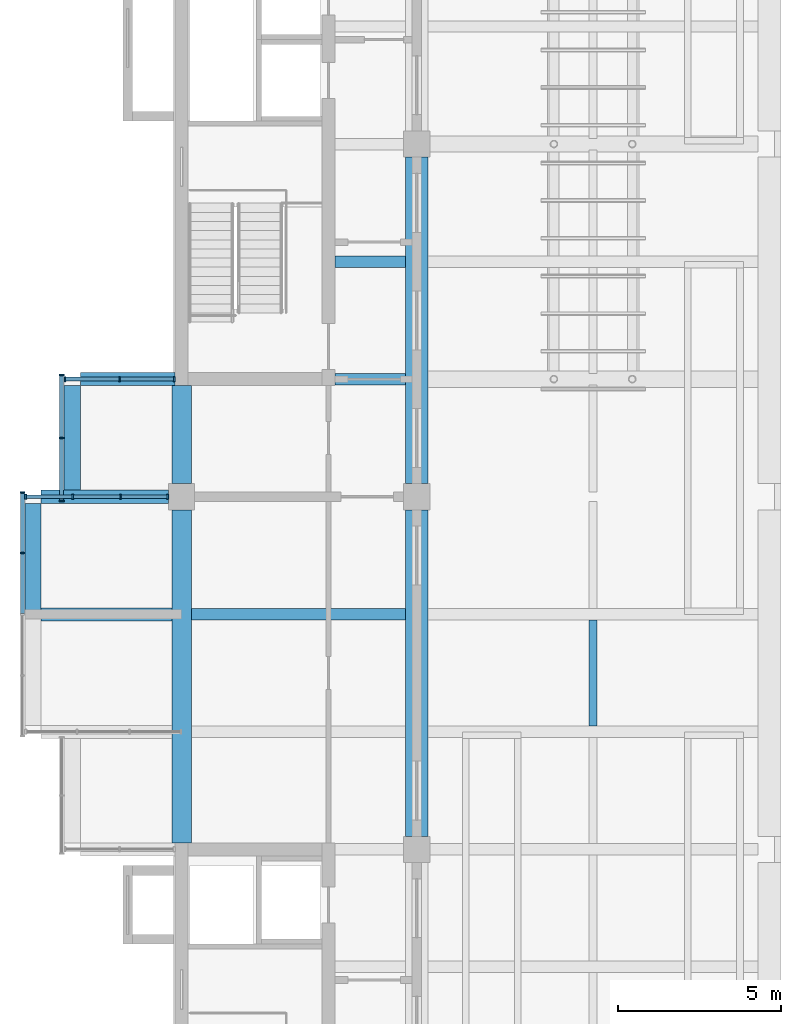
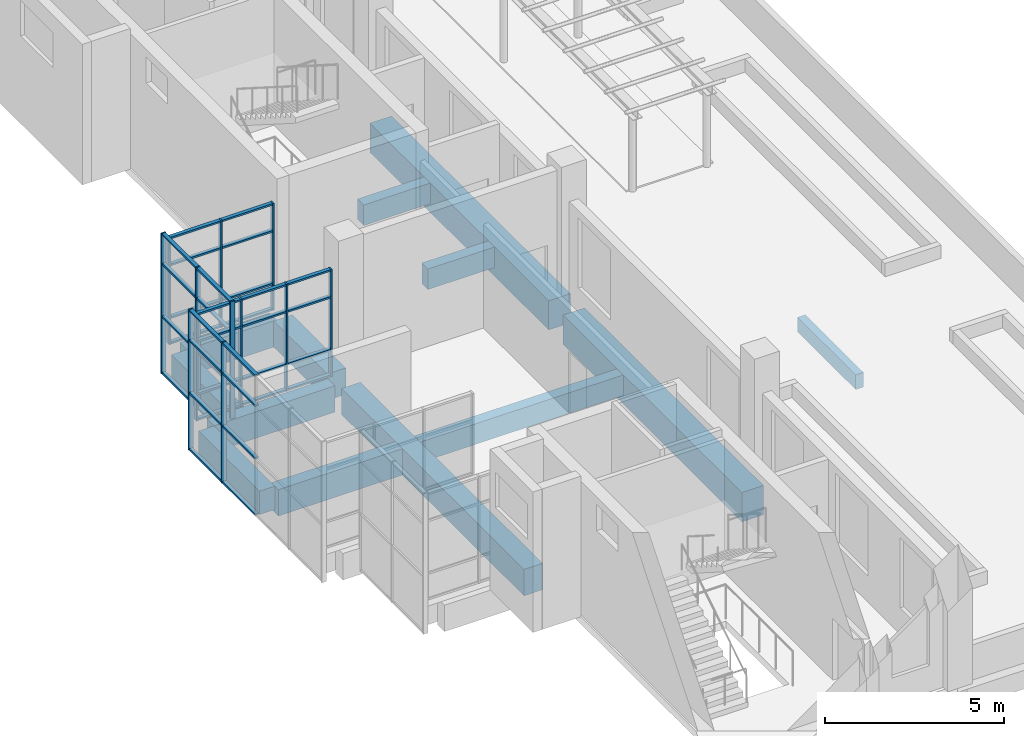
# One storey, part 5 of 16: 48 members, 13 beams, 4 elements without a shape of their own.
"""IFC4 building model written with IfcOpenShell, lengths in metres."""

from ifc_helpers import new_model, si_unit, direction, frame, origin, origin_2d, place, context, subcontext, project, spatial, rectangle, extrude, material, layer, layer_set, material_profile, profile_set, type_object, element, aggregate, save


model = new_model("IFC4")

# Units and contexts
model_context = context("Model", 3, precision=1e-05, world=origin(), true_north=direction((0.0, 1.0)))
body_context = subcontext(model_context, "Body", "Model", "MODEL_VIEW")
ifc_project = project(units=[si_unit("LENGTHUNIT", "METRE"), si_unit("AREAUNIT", "SQUARE_METRE"), si_unit("VOLUMEUNIT", "CUBIC_METRE"), si_unit("PLANEANGLEUNIT", "RADIAN"), si_unit("MASSUNIT", "GRAM", prefix="KILO")], contexts=[model_context])

# Site, building, storey
site_placement = place(None, origin())
site = spatial("IfcSite", under=ifc_project, at=site_placement, CompositionType="ELEMENT")
building_placement = place(site_placement, origin())
building = spatial("IfcBuilding", under=site, at=building_placement, Name="Basin Gate Institute", CompositionType="ELEMENT")
storey_placement = place(building_placement, frame((0.0, 0.0, 65.39990234375)))
storey = spatial("IfcBuildingStorey", under=building, at=storey_placement, Name="L13", CompositionType="ELEMENT", Elevation=65.39990234375)

# Beams
ifc_material_1 = material(Name="Concrete 40 MPa", Category="concrete")
ifc_material_profile_1 = material_profile(ifc_material_1, rectangle(XDim=0.35009765625, YDim=0.699951171875, at=origin_2d()), Name="Beam B1 350 x 700")
ifc_profile_set_1 = profile_set([ifc_material_profile_1], Name="Concrete 40 MPa")
beam_type_1 = type_object("IfcBeamType", Name="Beam B1 R120", PredefinedType="BEAM", material=ifc_profile_set_1)
beam_1_placement = place(storey_placement, frame((61.5, 53.10009765625, -0.599853515625), z_axis=(1.0, 0.0, 0.0), x_axis=(0.0, 1.0, 0.0)))
element("IfcBeam", 1, at=beam_1_placement, inside=storey, type_object=beam_type_1, material=ifc_profile_set_1, Name="BEAM/L13/W/OUT/06", PredefinedType="BEAM", context=body_context, shape_type="SweptSolid", body=[
    extrude(rectangle(XDim=0.35009765625, YDim=0.699951171875, at=origin_2d()), origin(), (0.0, 0.0, 1.0), 6.550048828125),
])
for number, where, z_axis, x_axis, name in (
    (2, (65.89990234375, 60.300048828125, -0.599853515625), (1.0, 0.0, 0.0), (0.0, 1.0, 0.0), "BEAM/L13/W/CORR/08"),
    (3, (65.89990234375, 63.89990234375, -0.599853515625), (1.0, 0.0, 0.0), (0.0, 1.0, 0.0), "BEAM/L13/W/CORR/09"),
):
    element("IfcBeam", number, at=place(storey_placement, frame(where, z_axis=z_axis, x_axis=x_axis)), inside=storey, type_object=beam_type_1, material=ifc_profile_set_1, Name=name, PredefinedType="BEAM", context=body_context, shape_type="SweptSolid", body=[
        extrude(rectangle(XDim=0.35009765625, YDim=0.699951171875, at=origin_2d()), origin(), (0.0, 0.0, 1.0), 2.150146484375),
    ])
ifc_material_2 = material(Name="Concrete 50 MPa", Category="concrete")
ifc_material_profile_2 = material_profile(ifc_material_2, rectangle(XDim=0.39990234375, YDim=0.89990234375, at=origin_2d()), Name="Cantilever beam B3 400 x 900")
ifc_profile_set_2 = profile_set([ifc_material_profile_2], Name="Concrete 50 MPa")
beam_type_2 = type_object("IfcBeamType", Name="Cantilever beam B3 R120", PredefinedType="BEAM", material=ifc_profile_set_2)
beam_2_placement = place(storey_placement, frame((56.89990234375, 53.10009765625, -0.699951171875), z_axis=(1.0, 0.0, 0.0), x_axis=(0.0, 1.0, 0.0)))
element("IfcBeam", 4, at=beam_2_placement, inside=storey, type_object=beam_type_2, material=ifc_profile_set_2, Name="BEAM/L13/W/CANT/06", PredefinedType="BEAM", context=body_context, shape_type="SweptSolid", body=[
    extrude(rectangle(XDim=0.39990234375, YDim=0.89990234375, at=origin_2d()), origin(), (0.0, 0.0, 1.0), 4.0),
])
beam_3_placement = place(storey_placement, frame((56.89990234375, 56.699951171875, -0.699951171875), z_axis=(1.0, 0.0, 0.0), x_axis=(0.0, 1.0, 0.0)))
element("IfcBeam", 5, at=beam_3_placement, inside=storey, type_object=beam_type_2, material=ifc_profile_set_2, Name="BEAM/L13/W/CANT/07", PredefinedType="BEAM", context=body_context, shape_type="SweptSolid", body=[
    extrude(rectangle(XDim=0.39990234375, YDim=0.89990234375, at=origin_2d()), origin(), (0.0, 0.0, 1.0), 3.900146484375),
])
beam_4_placement = place(storey_placement, frame((58.10009765625, 60.300048828125, -0.699951171875), z_axis=(1.0, 0.0, 0.0), x_axis=(0.0, 1.0, 0.0)))
element("IfcBeam", 6, at=beam_4_placement, inside=storey, type_object=beam_type_2, material=ifc_profile_set_2, Name="BEAM/L13/W/CANT/08", PredefinedType="BEAM", context=body_context, shape_type="SweptSolid", body=[
    extrude(rectangle(XDim=0.39990234375, YDim=0.89990234375, at=origin_2d()), origin(), (0.0, 0.0, 1.0), 2.89990234375),
])
ifc_material_3 = material(Name="Concrete 50 MPa", Category="concrete")
ifc_material_profile_3 = material_profile(ifc_material_3, rectangle(XDim=0.60009765625, YDim=0.89990234375, at=origin_2d()), Name="Edge beam EB1 600 x 900")
ifc_profile_set_3 = profile_set([ifc_material_profile_3], Name="Concrete 50 MPa")
beam_type_3 = type_object("IfcBeamType", Name="Edge beam EB1 R120", PredefinedType="SPANDREL", material=ifc_profile_set_3)
beam_5_placement = place(storey_placement, frame((61.199951171875, 46.10009765625, -0.699951171875), z_axis=(0.0, 1.0, 0.0), x_axis=(-1.0, 0.0, 0.0)))
element("IfcBeam", 7, at=beam_5_placement, inside=storey, type_object=beam_type_3, material=ifc_profile_set_3, Name="BEAM/L13/W/EDGE/1", PredefinedType="SPANDREL", context=body_context, shape_type="SweptSolid", body=[
    extrude(rectangle(XDim=0.60009765625, YDim=0.89990234375, at=origin_2d()), origin(), (0.0, 0.0, 1.0), 10.199951171875),
])
ifc_material_4 = material(Name="Concrete 50 MPa", Category="concrete")
ifc_material_profile_4 = material_profile(ifc_material_4, rectangle(XDim=0.60009765625, YDim=0.89990234375, at=origin_2d()), Name="Edge return beam EB3 600 x 900")
ifc_profile_set_4 = profile_set([ifc_material_profile_4], Name="Concrete 50 MPa")
beam_type_4 = type_object("IfcBeamType", Name="Edge return beam EB3 R120", PredefinedType="SPANDREL", material=ifc_profile_set_4)
beam_6_placement = place(storey_placement, frame((61.199951171875, 57.10009765625, -0.699951171875), z_axis=(0.0, 1.0, 0.0), x_axis=(-1.0, 0.0, 0.0)))
element("IfcBeam", 8, at=beam_6_placement, inside=storey, type_object=beam_type_4, material=ifc_profile_set_4, Name="BEAM/L13/W/EDGE/2", PredefinedType="SPANDREL", context=body_context, shape_type="SweptSolid", body=[
    extrude(rectangle(XDim=0.60009765625, YDim=0.89990234375, at=origin_2d()), origin(), (0.0, 0.0, 1.0), 3.0),
])
ifc_material_5 = material(Name="Concrete 50 MPa", Category="concrete")
ifc_material_profile_5 = material_profile(ifc_material_5, rectangle(XDim=0.699951171875, YDim=1.0, at=origin_2d()), Name="Girder G1 700 x 1000")
ifc_profile_set_5 = profile_set([ifc_material_profile_5], Name="Concrete 50 MPa")
beam_type_5 = type_object("IfcBeamType", Name="Girder G1 R120", PredefinedType="BEAM", material=ifc_profile_set_5)
for number, where, z_axis, x_axis, name in (
    (9, (68.39990234375, 46.300048828125, -0.75), (0.0, 1.0, 0.0), (-1.0, 0.0, 0.0), "GIR/L13/W5/2"),
    (10, (68.39990234375, 57.10009765625, -0.75), (0.0, 1.0, 0.0), (-1.0, 0.0, 0.0), "GIR/L13/W5/3"),
):
    element("IfcBeam", number, at=place(storey_placement, frame(where, z_axis=z_axis, x_axis=x_axis)), inside=storey, type_object=beam_type_5, material=ifc_profile_set_5, Name=name, PredefinedType="BEAM", context=body_context, shape_type="SweptSolid", body=[
        extrude(rectangle(XDim=0.699951171875, YDim=1.0, at=origin_2d()), origin(), (0.0, 0.0, 1.0), 10.0),
    ])

# Curtain wall, members
ifc_material_6 = material(Name="Aluminium-framed glazing", Category="aluminium")
ifc_layer = layer(ifc_material_6, 0.14990234375)
ifc_layer_set = layer_set([ifc_layer], Name="Capsule front curtain wall CW1")
curtain_wall_type = type_object("IfcCurtainWallType", Name="Capsule front curtain wall CW1", PredefinedType="NOTDEFINED", material=ifc_layer_set)
curtain_wall_1_placement = place(storey_placement, origin())
curtain_wall_1 = element("IfcCurtainWall", 11, at=curtain_wall_1_placement, inside=storey, type_object=curtain_wall_type, material=ifc_layer_set, Name="Capsule front curtain wall W wing capsule end L13 line 7", PredefinedType="NOTDEFINED")
ifc_material_7 = material(Name="Aluminium", Category="aluminium")
ifc_material_profile_6 = material_profile(ifc_material_7, rectangle(XDim=0.14990234375, YDim=0.050048828125, at=origin_2d()), Name="Mullion MU1 150 x 50")
ifc_profile_set_6 = profile_set([ifc_material_profile_6], Name="Aluminium")
member_type_1 = type_object("IfcMemberType", Name="Mullion MU1", PredefinedType="MULLION", material=ifc_profile_set_6)
member_1_placement = place(storey_placement, frame((56.425048828125, 56.699951171875, 0.0), z_axis=(0.0, 0.0, 1.0), x_axis=(0.0, 1.0, 0.0)))
member_1 = element("IfcMember", 12, at=member_1_placement, type_object=member_type_1, material=ifc_profile_set_6, Name="CW1 mullion 1", PredefinedType="MULLION", context=body_context, shape_type="SweptSolid", body=[
    extrude(rectangle(XDim=0.14990234375, YDim=0.050048828125, at=origin_2d()), origin(), (0.0, 0.0, 1.0), 3.650146484375),
])
member_2_placement = place(storey_placement, frame((57.86669921875, 56.699951171875, 0.0), z_axis=(0.0, 0.0, 1.0), x_axis=(0.0, 1.0, 0.0)))
member_2 = element("IfcMember", 13, at=member_2_placement, type_object=member_type_1, material=ifc_profile_set_6, Name="CW1 mullion 2", PredefinedType="MULLION", context=body_context, shape_type="SweptSolid", body=[
    extrude(rectangle(XDim=0.14990234375, YDim=0.050048828125, at=origin_2d()), origin(), (0.0, 0.0, 1.0), 3.650146484375),
])
member_3_placement = place(storey_placement, frame((59.333251953125, 56.699951171875, 0.0), z_axis=(0.0, 0.0, 1.0), x_axis=(0.0, 1.0, 0.0)))
member_3 = element("IfcMember", 14, at=member_3_placement, type_object=member_type_1, material=ifc_profile_set_6, Name="CW1 mullion 3", PredefinedType="MULLION", context=body_context, shape_type="SweptSolid", body=[
    extrude(rectangle(XDim=0.14990234375, YDim=0.050048828125, at=origin_2d()), origin(), (0.0, 0.0, 1.0), 3.650146484375),
])
member_4_placement = place(storey_placement, frame((60.77490234375, 56.699951171875, 0.0), z_axis=(0.0, 0.0, 1.0), x_axis=(0.0, 1.0, 0.0)))
member_4 = element("IfcMember", 15, at=member_4_placement, type_object=member_type_1, material=ifc_profile_set_6, Name="CW1 mullion 4", PredefinedType="MULLION", context=body_context, shape_type="SweptSolid", body=[
    extrude(rectangle(XDim=0.14990234375, YDim=0.050048828125, at=origin_2d()), origin(), (0.0, 0.0, 1.0), 3.650146484375),
])

curtain_wall_2_placement = place(storey_placement, origin())
curtain_wall_2 = element("IfcCurtainWall", 16, at=curtain_wall_2_placement, inside=storey, type_object=curtain_wall_type, material=ifc_layer_set, Name="Capsule front curtain wall W wing capsule end L13 line 8", PredefinedType="NOTDEFINED")
member_5_placement = place(storey_placement, frame((57.625, 60.300048828125, 0.0), z_axis=(0.0, 0.0, 1.0), x_axis=(0.0, 1.0, 0.0)))
member_5 = element("IfcMember", 17, at=member_5_placement, type_object=member_type_1, material=ifc_profile_set_6, Name="CW1 mullion 1", PredefinedType="MULLION", context=body_context, shape_type="SweptSolid", body=[
    extrude(rectangle(XDim=0.14990234375, YDim=0.050048828125, at=origin_2d()), origin(), (0.0, 0.0, 1.0), 3.650146484375),
])
member_6_placement = place(storey_placement, frame((59.300048828125, 60.300048828125, 0.0), z_axis=(0.0, 0.0, 1.0), x_axis=(0.0, 1.0, 0.0)))
member_6 = element("IfcMember", 18, at=member_6_placement, type_object=member_type_1, material=ifc_profile_set_6, Name="CW1 mullion 2", PredefinedType="MULLION", context=body_context, shape_type="SweptSolid", body=[
    extrude(rectangle(XDim=0.14990234375, YDim=0.050048828125, at=origin_2d()), origin(), (0.0, 0.0, 1.0), 3.650146484375),
])
member_7_placement = place(storey_placement, frame((60.97509765625, 60.300048828125, 0.0), z_axis=(0.0, 0.0, 1.0), x_axis=(0.0, 1.0, 0.0)))
member_7 = element("IfcMember", 19, at=member_7_placement, type_object=member_type_1, material=ifc_profile_set_6, Name="CW1 mullion 3", PredefinedType="MULLION", context=body_context, shape_type="SweptSolid", body=[
    extrude(rectangle(XDim=0.14990234375, YDim=0.050048828125, at=origin_2d()), origin(), (0.0, 0.0, 1.0), 3.650146484375),
])

curtain_wall_3_placement = place(storey_placement, origin())
curtain_wall_3 = element("IfcCurtainWall", 20, at=curtain_wall_3_placement, inside=storey, type_object=curtain_wall_type, material=ifc_layer_set, Name="Capsule front curtain wall W wing capsule 1 L13 front 2", PredefinedType="NOTDEFINED")
member_8_placement = place(storey_placement, frame((56.324951171875, 54.97509765625, -1.0498046875), z_axis=(0.0, 0.0, 1.0), x_axis=(-1.0, 0.0, 0.0)))
member_8 = element("IfcMember", 21, at=member_8_placement, type_object=member_type_1, material=ifc_profile_set_6, Name="CW1 mullion 4", PredefinedType="MULLION", context=body_context, shape_type="SweptSolid", body=[
    extrude(rectangle(XDim=0.14990234375, YDim=0.050048828125, at=origin_2d()), origin(), (0.0, 0.0, 1.0), 4.7998046875),
])
member_9_placement = place(storey_placement, frame((56.324951171875, 56.824951171875, -1.0498046875), z_axis=(0.0, 0.0, 1.0), x_axis=(-1.0, 0.0, 0.0)))
member_9 = element("IfcMember", 22, at=member_9_placement, type_object=member_type_1, material=ifc_profile_set_6, Name="CW1 mullion 5", PredefinedType="MULLION", context=body_context, shape_type="SweptSolid", body=[
    extrude(rectangle(XDim=0.14990234375, YDim=0.050048828125, at=origin_2d()), origin(), (0.0, 0.0, 1.0), 4.7998046875),
])

curtain_wall_4_placement = place(storey_placement, origin())
curtain_wall_4 = element("IfcCurtainWall", 23, at=curtain_wall_4_placement, inside=storey, type_object=curtain_wall_type, material=ifc_layer_set, Name="Capsule front curtain wall W wing capsule 1 L13 front 4", PredefinedType="NOTDEFINED")
member_10_placement = place(storey_placement, frame((57.52490234375, 56.574951171875, -1.0498046875), z_axis=(0.0, 0.0, 1.0), x_axis=(-1.0, 0.0, 0.0)))
member_10 = element("IfcMember", 24, at=member_10_placement, type_object=member_type_1, material=ifc_profile_set_6, Name="CW1 mullion 1", PredefinedType="MULLION", context=body_context, shape_type="SweptSolid", body=[
    extrude(rectangle(XDim=0.14990234375, YDim=0.050048828125, at=origin_2d()), origin(), (0.0, 0.0, 1.0), 4.7998046875),
])
member_11_placement = place(storey_placement, frame((57.52490234375, 58.5, -1.0498046875), z_axis=(0.0, 0.0, 1.0), x_axis=(-1.0, 0.0, 0.0)))
member_11 = element("IfcMember", 25, at=member_11_placement, type_object=member_type_1, material=ifc_profile_set_6, Name="CW1 mullion 2", PredefinedType="MULLION", context=body_context, shape_type="SweptSolid", body=[
    extrude(rectangle(XDim=0.14990234375, YDim=0.050048828125, at=origin_2d()), origin(), (0.0, 0.0, 1.0), 4.7998046875),
])
member_12_placement = place(storey_placement, frame((57.52490234375, 60.425048828125, -1.0498046875), z_axis=(0.0, 0.0, 1.0), x_axis=(-1.0, 0.0, 0.0)))
member_12 = element("IfcMember", 26, at=member_12_placement, type_object=member_type_1, material=ifc_profile_set_6, Name="CW1 mullion 3", PredefinedType="MULLION", context=body_context, shape_type="SweptSolid", body=[
    extrude(rectangle(XDim=0.14990234375, YDim=0.050048828125, at=origin_2d()), origin(), (0.0, 0.0, 1.0), 4.7998046875),
])

# Beams
ifc_material_8 = material(Name="Concrete 40 MPa", Category="concrete")
ifc_material_profile_7 = material_profile(ifc_material_8, rectangle(XDim=0.25, YDim=0.5, at=origin_2d()), Name="Rib R1 250 x 500")
ifc_profile_set_7 = profile_set([ifc_material_profile_7], Name="Concrete 40 MPa")
beam_type_6 = type_object("IfcBeamType", Name="Rib R1 R120", PredefinedType="JOIST", material=ifc_profile_set_7)
beam_7_placement = place(storey_placement, frame((73.800048828125, 49.675048828125, -0.5), z_axis=(0.0, 1.0, 0.0), x_axis=(-1.0, 0.0, 0.0)))
element("IfcBeam", 27, at=beam_7_placement, inside=storey, type_object=beam_type_6, material=ifc_profile_set_7, Name="BEAM/L13/W/RIB/05", PredefinedType="JOIST", context=body_context, shape_type="SweptSolid", body=[
    extrude(rectangle(XDim=0.25, YDim=0.5, at=origin_2d()), origin(), (0.0, 0.0, 1.0), 3.25),
])
ifc_material_9 = material(Name="Concrete 50 MPa", Category="concrete")
ifc_material_profile_8 = material_profile(ifc_material_9, rectangle(XDim=0.5, YDim=0.800048828125, at=origin_2d()), Name="Tip beam TB1 500 x 800")
ifc_profile_set_8 = profile_set([ifc_material_profile_8], Name="Concrete 50 MPa")
beam_type_7 = type_object("IfcBeamType", Name="Tip beam TB1 R120", PredefinedType="SPANDREL", material=ifc_profile_set_8)
beam_8_placement = place(storey_placement, frame((56.64990234375, 53.10009765625, -0.64990234375), z_axis=(0.0, 1.0, 0.0), x_axis=(-1.0, 0.0, 0.0)))
element("IfcBeam", 28, at=beam_8_placement, inside=storey, type_object=beam_type_7, material=ifc_profile_set_8, Name="BEAM/L13/W/TIP/3", PredefinedType="SPANDREL", context=body_context, shape_type="SweptSolid", body=[
    extrude(rectangle(XDim=0.5, YDim=0.800048828125, at=origin_2d()), origin(), (0.0, 0.0, 1.0), 3.39990234375),
])
beam_9_placement = place(storey_placement, frame((57.85009765625, 56.89990234375, -0.64990234375), z_axis=(0.0, 1.0, 0.0), x_axis=(-1.0, 0.0, 0.0)))
element("IfcBeam", 29, at=beam_9_placement, inside=storey, type_object=beam_type_7, material=ifc_profile_set_8, Name="BEAM/L13/W/TIP/4", PredefinedType="SPANDREL", context=body_context, shape_type="SweptSolid", body=[
    extrude(rectangle(XDim=0.5, YDim=0.800048828125, at=origin_2d()), origin(), (0.0, 0.0, 1.0), 3.2001953125),
])

# Member
ifc_material_10 = material(Name="Aluminium", Category="aluminium")
ifc_material_profile_9 = material_profile(ifc_material_10, rectangle(XDim=0.1201171875, YDim=0.06005859375, at=origin_2d()), Name="Transom TR1 120 x 60")
ifc_profile_set_9 = profile_set([ifc_material_profile_9], Name="Aluminium")
member_type_2 = type_object("IfcMemberType", Name="Transom TR1", PredefinedType="USERDEFINED", material=ifc_profile_set_9)
member_13_placement = place(storey_placement, frame((56.449951171875, 56.699951171875, 0.030029296875), z_axis=(1.0, 0.0, 0.0), x_axis=(0.0, 1.0, 0.0)))
member_13 = element("IfcMember", 30, at=member_13_placement, type_object=member_type_2, material=ifc_profile_set_9, Name="CW1 transom 1.1", ObjectType="TRANSOM", PredefinedType="USERDEFINED", context=body_context, shape_type="SweptSolid", body=[
    extrude(rectangle(XDim=0.1201171875, YDim=0.06005859375, at=origin_2d()), origin(), (0.0, 0.0, 1.0), 1.3916015625),
])

member_14_placement = place(storey_placement, frame((56.449951171875, 56.699951171875, 0.900146484375), z_axis=(1.0, 0.0, 0.0), x_axis=(0.0, 1.0, 0.0)))
member_14 = element("IfcMember", 31, at=member_14_placement, type_object=member_type_2, material=ifc_profile_set_9, Name="CW1 transom 1.2", ObjectType="TRANSOM", PredefinedType="USERDEFINED", context=body_context, shape_type="SweptSolid", body=[
    extrude(rectangle(XDim=0.1201171875, YDim=0.06005859375, at=origin_2d()), origin(), (0.0, 0.0, 1.0), 1.3916015625),
])

member_15_placement = place(storey_placement, frame((56.449951171875, 56.699951171875, 2.7001953125), z_axis=(1.0, 0.0, 0.0), x_axis=(0.0, 1.0, 0.0)))
member_15 = element("IfcMember", 32, at=member_15_placement, type_object=member_type_2, material=ifc_profile_set_9, Name="CW1 transom 1.3", ObjectType="TRANSOM", PredefinedType="USERDEFINED", context=body_context, shape_type="SweptSolid", body=[
    extrude(rectangle(XDim=0.1201171875, YDim=0.06005859375, at=origin_2d()), origin(), (0.0, 0.0, 1.0), 1.3916015625),
])

member_16_placement = place(storey_placement, frame((56.449951171875, 56.699951171875, 3.6201171875), z_axis=(1.0, 0.0, 0.0), x_axis=(0.0, 1.0, 0.0)))
member_16 = element("IfcMember", 33, at=member_16_placement, type_object=member_type_2, material=ifc_profile_set_9, Name="CW1 transom 1.4", ObjectType="TRANSOM", PredefinedType="USERDEFINED", context=body_context, shape_type="SweptSolid", body=[
    extrude(rectangle(XDim=0.1201171875, YDim=0.06005859375, at=origin_2d()), origin(), (0.0, 0.0, 1.0), 1.3916015625),
])

member_17_placement = place(storey_placement, frame((57.8916015625, 56.699951171875, 0.030029296875), z_axis=(1.0, 0.0, 0.0), x_axis=(0.0, 1.0, 0.0)))
member_17 = element("IfcMember", 34, at=member_17_placement, type_object=member_type_2, material=ifc_profile_set_9, Name="CW1 transom 2.1", ObjectType="TRANSOM", PredefinedType="USERDEFINED", context=body_context, shape_type="SweptSolid", body=[
    extrude(rectangle(XDim=0.1201171875, YDim=0.06005859375, at=origin_2d()), origin(), (0.0, 0.0, 1.0), 1.416748046875),
])

member_18_placement = place(storey_placement, frame((57.8916015625, 56.699951171875, 0.900146484375), z_axis=(1.0, 0.0, 0.0), x_axis=(0.0, 1.0, 0.0)))
member_18 = element("IfcMember", 35, at=member_18_placement, type_object=member_type_2, material=ifc_profile_set_9, Name="CW1 transom 2.2", ObjectType="TRANSOM", PredefinedType="USERDEFINED", context=body_context, shape_type="SweptSolid", body=[
    extrude(rectangle(XDim=0.1201171875, YDim=0.06005859375, at=origin_2d()), origin(), (0.0, 0.0, 1.0), 1.416748046875),
])

member_19_placement = place(storey_placement, frame((57.8916015625, 56.699951171875, 2.7001953125), z_axis=(1.0, 0.0, 0.0), x_axis=(0.0, 1.0, 0.0)))
member_19 = element("IfcMember", 36, at=member_19_placement, type_object=member_type_2, material=ifc_profile_set_9, Name="CW1 transom 2.3", ObjectType="TRANSOM", PredefinedType="USERDEFINED", context=body_context, shape_type="SweptSolid", body=[
    extrude(rectangle(XDim=0.1201171875, YDim=0.06005859375, at=origin_2d()), origin(), (0.0, 0.0, 1.0), 1.416748046875),
])

member_20_placement = place(storey_placement, frame((57.8916015625, 56.699951171875, 3.6201171875), z_axis=(1.0, 0.0, 0.0), x_axis=(0.0, 1.0, 0.0)))
member_20 = element("IfcMember", 37, at=member_20_placement, type_object=member_type_2, material=ifc_profile_set_9, Name="CW1 transom 2.4", ObjectType="TRANSOM", PredefinedType="USERDEFINED", context=body_context, shape_type="SweptSolid", body=[
    extrude(rectangle(XDim=0.1201171875, YDim=0.06005859375, at=origin_2d()), origin(), (0.0, 0.0, 1.0), 1.416748046875),
])

member_21_placement = place(storey_placement, frame((59.3583984375, 56.699951171875, 0.030029296875), z_axis=(1.0, 0.0, 0.0), x_axis=(0.0, 1.0, 0.0)))
member_21 = element("IfcMember", 38, at=member_21_placement, type_object=member_type_2, material=ifc_profile_set_9, Name="CW1 transom 3.1", ObjectType="TRANSOM", PredefinedType="USERDEFINED", context=body_context, shape_type="SweptSolid", body=[
    extrude(rectangle(XDim=0.1201171875, YDim=0.06005859375, at=origin_2d()), origin(), (0.0, 0.0, 1.0), 1.3916015625),
])

member_22_placement = place(storey_placement, frame((59.3583984375, 56.699951171875, 0.900146484375), z_axis=(1.0, 0.0, 0.0), x_axis=(0.0, 1.0, 0.0)))
member_22 = element("IfcMember", 39, at=member_22_placement, type_object=member_type_2, material=ifc_profile_set_9, Name="CW1 transom 3.2", ObjectType="TRANSOM", PredefinedType="USERDEFINED", context=body_context, shape_type="SweptSolid", body=[
    extrude(rectangle(XDim=0.1201171875, YDim=0.06005859375, at=origin_2d()), origin(), (0.0, 0.0, 1.0), 1.3916015625),
])

member_23_placement = place(storey_placement, frame((59.3583984375, 56.699951171875, 2.7001953125), z_axis=(1.0, 0.0, 0.0), x_axis=(0.0, 1.0, 0.0)))
member_23 = element("IfcMember", 40, at=member_23_placement, type_object=member_type_2, material=ifc_profile_set_9, Name="CW1 transom 3.3", ObjectType="TRANSOM", PredefinedType="USERDEFINED", context=body_context, shape_type="SweptSolid", body=[
    extrude(rectangle(XDim=0.1201171875, YDim=0.06005859375, at=origin_2d()), origin(), (0.0, 0.0, 1.0), 1.3916015625),
])

member_24_placement = place(storey_placement, frame((59.3583984375, 56.699951171875, 3.6201171875), z_axis=(1.0, 0.0, 0.0), x_axis=(0.0, 1.0, 0.0)))
member_24 = element("IfcMember", 41, at=member_24_placement, type_object=member_type_2, material=ifc_profile_set_9, Name="CW1 transom 3.4", ObjectType="TRANSOM", PredefinedType="USERDEFINED", context=body_context, shape_type="SweptSolid", body=[
    extrude(rectangle(XDim=0.1201171875, YDim=0.06005859375, at=origin_2d()), origin(), (0.0, 0.0, 1.0), 1.3916015625),
])

aggregate(curtain_wall_1, [member_1, member_2, member_3, member_4, member_13, member_14, member_15, member_16, member_17, member_18, member_19, member_20, member_21, member_22, member_23, member_24])

member_25_placement = place(storey_placement, frame((57.64990234375, 60.300048828125, 0.030029296875), z_axis=(1.0, 0.0, 0.0), x_axis=(0.0, 1.0, 0.0)))
member_25 = element("IfcMember", 42, at=member_25_placement, type_object=member_type_2, material=ifc_profile_set_9, Name="CW1 transom 1.1", ObjectType="TRANSOM", PredefinedType="USERDEFINED", context=body_context, shape_type="SweptSolid", body=[
    extrude(rectangle(XDim=0.1201171875, YDim=0.06005859375, at=origin_2d()), origin(), (0.0, 0.0, 1.0), 1.625),
])

member_26_placement = place(storey_placement, frame((57.64990234375, 60.300048828125, 0.900146484375), z_axis=(1.0, 0.0, 0.0), x_axis=(0.0, 1.0, 0.0)))
member_26 = element("IfcMember", 43, at=member_26_placement, type_object=member_type_2, material=ifc_profile_set_9, Name="CW1 transom 1.2", ObjectType="TRANSOM", PredefinedType="USERDEFINED", context=body_context, shape_type="SweptSolid", body=[
    extrude(rectangle(XDim=0.1201171875, YDim=0.06005859375, at=origin_2d()), origin(), (0.0, 0.0, 1.0), 1.625),
])

member_27_placement = place(storey_placement, frame((57.64990234375, 60.300048828125, 2.7001953125), z_axis=(1.0, 0.0, 0.0), x_axis=(0.0, 1.0, 0.0)))
member_27 = element("IfcMember", 44, at=member_27_placement, type_object=member_type_2, material=ifc_profile_set_9, Name="CW1 transom 1.3", ObjectType="TRANSOM", PredefinedType="USERDEFINED", context=body_context, shape_type="SweptSolid", body=[
    extrude(rectangle(XDim=0.1201171875, YDim=0.06005859375, at=origin_2d()), origin(), (0.0, 0.0, 1.0), 1.625),
])

member_28_placement = place(storey_placement, frame((57.64990234375, 60.300048828125, 3.6201171875), z_axis=(1.0, 0.0, 0.0), x_axis=(0.0, 1.0, 0.0)))
member_28 = element("IfcMember", 45, at=member_28_placement, type_object=member_type_2, material=ifc_profile_set_9, Name="CW1 transom 1.4", ObjectType="TRANSOM", PredefinedType="USERDEFINED", context=body_context, shape_type="SweptSolid", body=[
    extrude(rectangle(XDim=0.1201171875, YDim=0.06005859375, at=origin_2d()), origin(), (0.0, 0.0, 1.0), 1.625),
])

member_29_placement = place(storey_placement, frame((59.324951171875, 60.300048828125, 0.030029296875), z_axis=(1.0, 0.0, 0.0), x_axis=(0.0, 1.0, 0.0)))
member_29 = element("IfcMember", 46, at=member_29_placement, type_object=member_type_2, material=ifc_profile_set_9, Name="CW1 transom 2.1", ObjectType="TRANSOM", PredefinedType="USERDEFINED", context=body_context, shape_type="SweptSolid", body=[
    extrude(rectangle(XDim=0.1201171875, YDim=0.06005859375, at=origin_2d()), origin(), (0.0, 0.0, 1.0), 1.625),
])

member_30_placement = place(storey_placement, frame((59.324951171875, 60.300048828125, 0.900146484375), z_axis=(1.0, 0.0, 0.0), x_axis=(0.0, 1.0, 0.0)))
member_30 = element("IfcMember", 47, at=member_30_placement, type_object=member_type_2, material=ifc_profile_set_9, Name="CW1 transom 2.2", ObjectType="TRANSOM", PredefinedType="USERDEFINED", context=body_context, shape_type="SweptSolid", body=[
    extrude(rectangle(XDim=0.1201171875, YDim=0.06005859375, at=origin_2d()), origin(), (0.0, 0.0, 1.0), 1.625),
])

member_31_placement = place(storey_placement, frame((59.324951171875, 60.300048828125, 2.7001953125), z_axis=(1.0, 0.0, 0.0), x_axis=(0.0, 1.0, 0.0)))
member_31 = element("IfcMember", 48, at=member_31_placement, type_object=member_type_2, material=ifc_profile_set_9, Name="CW1 transom 2.3", ObjectType="TRANSOM", PredefinedType="USERDEFINED", context=body_context, shape_type="SweptSolid", body=[
    extrude(rectangle(XDim=0.1201171875, YDim=0.06005859375, at=origin_2d()), origin(), (0.0, 0.0, 1.0), 1.625),
])

member_32_placement = place(storey_placement, frame((59.324951171875, 60.300048828125, 3.6201171875), z_axis=(1.0, 0.0, 0.0), x_axis=(0.0, 1.0, 0.0)))
member_32 = element("IfcMember", 49, at=member_32_placement, type_object=member_type_2, material=ifc_profile_set_9, Name="CW1 transom 2.4", ObjectType="TRANSOM", PredefinedType="USERDEFINED", context=body_context, shape_type="SweptSolid", body=[
    extrude(rectangle(XDim=0.1201171875, YDim=0.06005859375, at=origin_2d()), origin(), (0.0, 0.0, 1.0), 1.625),
])

aggregate(curtain_wall_2, [member_5, member_6, member_7, member_25, member_26, member_27, member_28, member_29, member_30, member_31, member_32])

member_33_placement = place(storey_placement, frame((56.324951171875, 53.125, -1.02001953125), z_axis=(0.0, 1.0, 0.0), x_axis=(-1.0, 0.0, 0.0)))
member_33 = element("IfcMember", 50, at=member_33_placement, type_object=member_type_2, material=ifc_profile_set_9, Name="CW1 transom 3.1", ObjectType="TRANSOM", PredefinedType="USERDEFINED", context=body_context, shape_type="SweptSolid", body=[
    extrude(rectangle(XDim=0.1201171875, YDim=0.06005859375, at=origin_2d()), origin(), (0.0, 0.0, 1.0), 1.824951171875),
])

member_34_placement = place(storey_placement, frame((56.324951171875, 53.125, 0.900146484375), z_axis=(0.0, 1.0, 0.0), x_axis=(-1.0, 0.0, 0.0)))
member_34 = element("IfcMember", 51, at=member_34_placement, type_object=member_type_2, material=ifc_profile_set_9, Name="CW1 transom 3.2", ObjectType="TRANSOM", PredefinedType="USERDEFINED", context=body_context, shape_type="SweptSolid", body=[
    extrude(rectangle(XDim=0.1201171875, YDim=0.06005859375, at=origin_2d()), origin(), (0.0, 0.0, 1.0), 1.824951171875),
])

member_35_placement = place(storey_placement, frame((56.324951171875, 53.125, 2.7001953125), z_axis=(0.0, 1.0, 0.0), x_axis=(-1.0, 0.0, 0.0)))
member_35 = element("IfcMember", 52, at=member_35_placement, type_object=member_type_2, material=ifc_profile_set_9, Name="CW1 transom 3.3", ObjectType="TRANSOM", PredefinedType="USERDEFINED", context=body_context, shape_type="SweptSolid", body=[
    extrude(rectangle(XDim=0.1201171875, YDim=0.06005859375, at=origin_2d()), origin(), (0.0, 0.0, 1.0), 1.824951171875),
])

member_36_placement = place(storey_placement, frame((56.324951171875, 53.125, 3.72021484375), z_axis=(0.0, 1.0, 0.0), x_axis=(-1.0, 0.0, 0.0)))
member_36 = element("IfcMember", 53, at=member_36_placement, type_object=member_type_2, material=ifc_profile_set_9, Name="CW1 transom 3.4", ObjectType="TRANSOM", PredefinedType="USERDEFINED", context=body_context, shape_type="SweptSolid", body=[
    extrude(rectangle(XDim=0.1201171875, YDim=0.06005859375, at=origin_2d()), origin(), (0.0, 0.0, 1.0), 1.824951171875),
])

member_37_placement = place(storey_placement, frame((56.324951171875, 55.0, -1.02001953125), z_axis=(0.0, 1.0, 0.0), x_axis=(-1.0, 0.0, 0.0)))
member_37 = element("IfcMember", 54, at=member_37_placement, type_object=member_type_2, material=ifc_profile_set_9, Name="CW1 transom 4.1", ObjectType="TRANSOM", PredefinedType="USERDEFINED", context=body_context, shape_type="SweptSolid", body=[
    extrude(rectangle(XDim=0.1201171875, YDim=0.06005859375, at=origin_2d()), origin(), (0.0, 0.0, 1.0), 1.800048828125),
])

member_38_placement = place(storey_placement, frame((56.324951171875, 55.0, 0.900146484375), z_axis=(0.0, 1.0, 0.0), x_axis=(-1.0, 0.0, 0.0)))
member_38 = element("IfcMember", 55, at=member_38_placement, type_object=member_type_2, material=ifc_profile_set_9, Name="CW1 transom 4.2", ObjectType="TRANSOM", PredefinedType="USERDEFINED", context=body_context, shape_type="SweptSolid", body=[
    extrude(rectangle(XDim=0.1201171875, YDim=0.06005859375, at=origin_2d()), origin(), (0.0, 0.0, 1.0), 1.800048828125),
])

member_39_placement = place(storey_placement, frame((56.324951171875, 55.0, 2.7001953125), z_axis=(0.0, 1.0, 0.0), x_axis=(-1.0, 0.0, 0.0)))
member_39 = element("IfcMember", 56, at=member_39_placement, type_object=member_type_2, material=ifc_profile_set_9, Name="CW1 transom 4.3", ObjectType="TRANSOM", PredefinedType="USERDEFINED", context=body_context, shape_type="SweptSolid", body=[
    extrude(rectangle(XDim=0.1201171875, YDim=0.06005859375, at=origin_2d()), origin(), (0.0, 0.0, 1.0), 1.800048828125),
])

member_40_placement = place(storey_placement, frame((56.324951171875, 55.0, 3.72021484375), z_axis=(0.0, 1.0, 0.0), x_axis=(-1.0, 0.0, 0.0)))
member_40 = element("IfcMember", 57, at=member_40_placement, type_object=member_type_2, material=ifc_profile_set_9, Name="CW1 transom 4.4", ObjectType="TRANSOM", PredefinedType="USERDEFINED", context=body_context, shape_type="SweptSolid", body=[
    extrude(rectangle(XDim=0.1201171875, YDim=0.06005859375, at=origin_2d()), origin(), (0.0, 0.0, 1.0), 1.800048828125),
])

aggregate(curtain_wall_3, [member_8, member_9, member_33, member_34, member_35, member_36, member_37, member_38, member_39, member_40])

member_41_placement = place(storey_placement, frame((57.52490234375, 56.60009765625, -1.02001953125), z_axis=(0.0, 1.0, 0.0), x_axis=(-1.0, 0.0, 0.0)))
member_41 = element("IfcMember", 58, at=member_41_placement, type_object=member_type_2, material=ifc_profile_set_9, Name="CW1 transom 1.1", ObjectType="TRANSOM", PredefinedType="USERDEFINED", context=body_context, shape_type="SweptSolid", body=[
    extrude(rectangle(XDim=0.1201171875, YDim=0.06005859375, at=origin_2d()), origin(), (0.0, 0.0, 1.0), 1.875),
])

member_42_placement = place(storey_placement, frame((57.52490234375, 56.60009765625, 0.900146484375), z_axis=(0.0, 1.0, 0.0), x_axis=(-1.0, 0.0, 0.0)))
member_42 = element("IfcMember", 59, at=member_42_placement, type_object=member_type_2, material=ifc_profile_set_9, Name="CW1 transom 1.2", ObjectType="TRANSOM", PredefinedType="USERDEFINED", context=body_context, shape_type="SweptSolid", body=[
    extrude(rectangle(XDim=0.1201171875, YDim=0.06005859375, at=origin_2d()), origin(), (0.0, 0.0, 1.0), 1.875),
])

member_43_placement = place(storey_placement, frame((57.52490234375, 56.60009765625, 2.7001953125), z_axis=(0.0, 1.0, 0.0), x_axis=(-1.0, 0.0, 0.0)))
member_43 = element("IfcMember", 60, at=member_43_placement, type_object=member_type_2, material=ifc_profile_set_9, Name="CW1 transom 1.3", ObjectType="TRANSOM", PredefinedType="USERDEFINED", context=body_context, shape_type="SweptSolid", body=[
    extrude(rectangle(XDim=0.1201171875, YDim=0.06005859375, at=origin_2d()), origin(), (0.0, 0.0, 1.0), 1.875),
])

member_44_placement = place(storey_placement, frame((57.52490234375, 56.60009765625, 3.72021484375), z_axis=(0.0, 1.0, 0.0), x_axis=(-1.0, 0.0, 0.0)))
member_44 = element("IfcMember", 61, at=member_44_placement, type_object=member_type_2, material=ifc_profile_set_9, Name="CW1 transom 1.4", ObjectType="TRANSOM", PredefinedType="USERDEFINED", context=body_context, shape_type="SweptSolid", body=[
    extrude(rectangle(XDim=0.1201171875, YDim=0.06005859375, at=origin_2d()), origin(), (0.0, 0.0, 1.0), 1.875),
])

member_45_placement = place(storey_placement, frame((57.52490234375, 58.52490234375, -1.02001953125), z_axis=(0.0, 1.0, 0.0), x_axis=(-1.0, 0.0, 0.0)))
member_45 = element("IfcMember", 62, at=member_45_placement, type_object=member_type_2, material=ifc_profile_set_9, Name="CW1 transom 2.1", ObjectType="TRANSOM", PredefinedType="USERDEFINED", context=body_context, shape_type="SweptSolid", body=[
    extrude(rectangle(XDim=0.1201171875, YDim=0.06005859375, at=origin_2d()), origin(), (0.0, 0.0, 1.0), 1.875),
])

member_46_placement = place(storey_placement, frame((57.52490234375, 58.52490234375, 0.900146484375), z_axis=(0.0, 1.0, 0.0), x_axis=(-1.0, 0.0, 0.0)))
member_46 = element("IfcMember", 63, at=member_46_placement, type_object=member_type_2, material=ifc_profile_set_9, Name="CW1 transom 2.2", ObjectType="TRANSOM", PredefinedType="USERDEFINED", context=body_context, shape_type="SweptSolid", body=[
    extrude(rectangle(XDim=0.1201171875, YDim=0.06005859375, at=origin_2d()), origin(), (0.0, 0.0, 1.0), 1.875),
])

member_47_placement = place(storey_placement, frame((57.52490234375, 58.52490234375, 2.7001953125), z_axis=(0.0, 1.0, 0.0), x_axis=(-1.0, 0.0, 0.0)))
member_47 = element("IfcMember", 64, at=member_47_placement, type_object=member_type_2, material=ifc_profile_set_9, Name="CW1 transom 2.3", ObjectType="TRANSOM", PredefinedType="USERDEFINED", context=body_context, shape_type="SweptSolid", body=[
    extrude(rectangle(XDim=0.1201171875, YDim=0.06005859375, at=origin_2d()), origin(), (0.0, 0.0, 1.0), 1.875),
])

member_48_placement = place(storey_placement, frame((57.52490234375, 58.52490234375, 3.72021484375), z_axis=(0.0, 1.0, 0.0), x_axis=(-1.0, 0.0, 0.0)))
member_48 = element("IfcMember", 65, at=member_48_placement, type_object=member_type_2, material=ifc_profile_set_9, Name="CW1 transom 2.4", ObjectType="TRANSOM", PredefinedType="USERDEFINED", context=body_context, shape_type="SweptSolid", body=[
    extrude(rectangle(XDim=0.1201171875, YDim=0.06005859375, at=origin_2d()), origin(), (0.0, 0.0, 1.0), 1.875),
])

aggregate(curtain_wall_4, [member_10, member_11, member_12, member_41, member_42, member_43, member_44, member_45, member_46, member_47, member_48])

save(model, "model.ifc")
